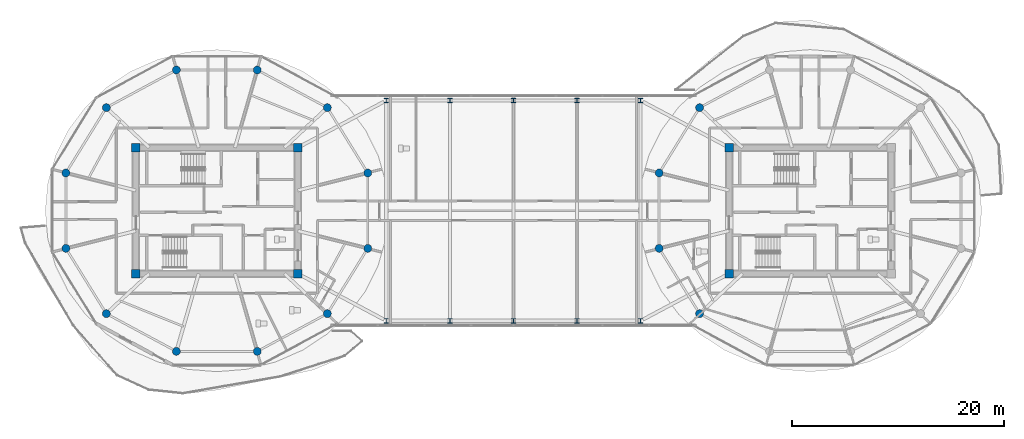
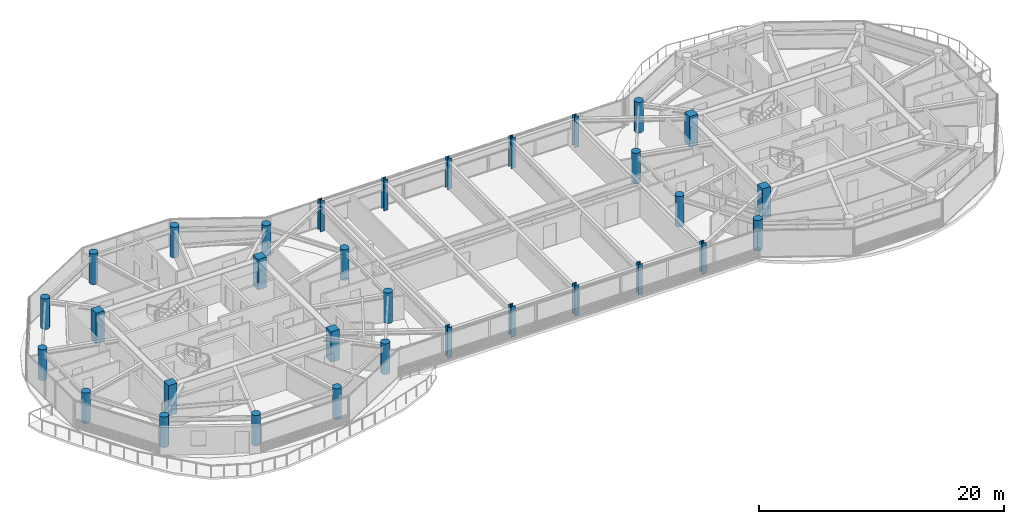
# One storey, part 1 of 24: 32 columns.
"""IFC4 building model written with IfcOpenShell, lengths in metres."""

from ifc_helpers import new_model, si_unit, direction, frame, origin, origin_2d, place, context, subcontext, project, spatial, rectangle, circle, i_section, extrude, source, transform, mapped, material, material_profile, profile_set, type_object, type_shapes, element, save


model = new_model("IFC4")

# Units and contexts
model_context = context("Model", 3, precision=1e-05, world=origin(), true_north=direction((0.0, 1.0)))
body_context = subcontext(model_context, "Body", "Model", "MODEL_VIEW")
ifc_project = project(units=[si_unit("LENGTHUNIT", "METRE"), si_unit("AREAUNIT", "SQUARE_METRE"), si_unit("VOLUMEUNIT", "CUBIC_METRE"), si_unit("PLANEANGLEUNIT", "RADIAN"), si_unit("MASSUNIT", "GRAM", prefix="KILO")], contexts=[model_context])

# Site, building, storey
site_placement = place(None, origin())
site = spatial("IfcSite", under=ifc_project, at=site_placement, CompositionType="ELEMENT")
building_placement = place(site_placement, origin())
building = spatial("IfcBuilding", under=site, at=building_placement, Name="Norrkilde Senior Care Towers", CompositionType="ELEMENT")
storey_placement = place(building_placement, frame((0.0, 0.0, 226.10009765625)))
storey = spatial("IfcBuildingStorey", under=building, at=storey_placement, Name="L70", CompositionType="ELEMENT", Elevation=226.10009765625)

# Columns
ifc_material_1 = material(Name="Concrete C60/75", Category="concrete")
ifc_material_profile_1 = material_profile(ifc_material_1, rectangle(XDim=0.800048828125, YDim=0.800048828125, at=origin_2d()), Name="RC COL 800x800")
ifc_profile_set_1 = profile_set([ifc_material_profile_1], Name="Concrete C60/75")
column_type_1 = type_object("IfcColumnType", Name="Column Core Corner Z3-Z4 800", PredefinedType="COLUMN", material=ifc_profile_set_1)
shared_shape_1 = source(origin(), body_context, "Body", "SweptSolid", [
    extrude(rectangle(XDim=0.800048828125, YDim=0.800048828125, at=origin_2d()), origin(), (0.0, 0.0, 1.0), 3.0498046875),
])
type_shapes(column_type_1, [shared_shape_1])
for number, where, z_axis, x_axis, name in (
    (1, (-35.64990234375, -5.949951171875, 0.0), (0.0, 0.0, 1.0), (1.0, 0.0, 0.0), "L70 Core W Corner Column 1"),
    (2, (-20.35009765625, -5.949951171875, 0.0), (0.0, 0.0, 1.0), (1.0, 0.0, 0.0), "L70 Core W Corner Column 2"),
    (3, (-20.35009765625, 5.949951171875, 0.0), (0.0, 0.0, 1.0), (1.0, 0.0, 0.0), "L70 Core W Corner Column 3"),
    (4, (-35.64990234375, 5.949951171875, 0.0), (0.0, 0.0, 1.0), (1.0, 0.0, 0.0), "L70 Core W Corner Column 4"),
    (5, (20.35009765625, -5.949951171875, 0.0), (0.0, 0.0, 1.0), (1.0, 0.0, 0.0), "L70 Core E Corner Column 1"),
    (6, (20.35009765625, 5.949951171875, 0.0), (0.0, 0.0, 1.0), (1.0, 0.0, 0.0), "L70 Core E Corner Column 4"),
):
    element("IfcColumn", number, at=place(storey_placement, frame(where, z_axis=z_axis, x_axis=x_axis)), inside=storey, type_object=column_type_1, Name=name, PredefinedType="COLUMN", context=body_context, shape_type="MappedRepresentation", body=[
        mapped(shared_shape_1, transform((0.0, 0.0, 0.0), x_axis=(1.0, 0.0, 0.0), y_axis=(0.0, 1.0, 0.0), z_axis=(0.0, 0.0, 1.0), scale=1.0)),
    ])
ifc_material_2 = material(Name="Concrete C50/60", Category="concrete")
ifc_material_profile_2 = material_profile(ifc_material_2, circle(Radius=0.375, at=origin_2d()), Name="RC CIR 750")
ifc_profile_set_2 = profile_set([ifc_material_profile_2], Name="Concrete C50/60")
column_type_2 = type_object("IfcColumnType", Name="Column Perimeter Z4 750", PredefinedType="COLUMN", material=ifc_profile_set_2)
shared_shape_2 = source(origin(), body_context, "Body", "SweptSolid", [
    extrude(circle(Radius=0.375, at=origin_2d()), origin(), (0.0, 0.0, 1.0), 3.0498046875),
])
type_shapes(column_type_2, [shared_shape_2])
for number, where, z_axis, x_axis, name in (
    (7, (-13.752685546875, 3.558837890625, 0.0), (0.0, 0.0, 1.0), (1.0, 0.0, 0.0), "L70 Drum W Perimeter Column 01"),
    (8, (-17.570068359375, 9.72265625, 0.0), (0.0, 0.0, 1.0), (1.0, 0.0, 0.0), "L70 Drum W Perimeter Column 02"),
    (9, (-24.182373046875, 13.281494140625, 0.0), (0.0, 0.0, 1.0), (1.0, 0.0, 0.0), "L70 Drum W Perimeter Column 03"),
    (10, (-31.817626953125, 13.281494140625, 0.0), (0.0, 0.0, 1.0), (1.0, 0.0, 0.0), "L70 Drum W Perimeter Column 04"),
    (11, (-38.429931640625, 9.72265625, 0.0), (0.0, 0.0, 1.0), (1.0, 0.0, 0.0), "L70 Drum W Perimeter Column 05"),
    (12, (-42.247314453125, 3.558837890625, 0.0), (0.0, 0.0, 1.0), (1.0, 0.0, 0.0), "L70 Drum W Perimeter Column 06"),
    (13, (-42.247314453125, -3.558837890625, 0.0), (0.0, 0.0, 1.0), (1.0, 0.0, 0.0), "L70 Drum W Perimeter Column 07"),
    (14, (-38.429931640625, -9.72265625, 0.0), (0.0, 0.0, 1.0), (1.0, 0.0, 0.0), "L70 Drum W Perimeter Column 08"),
    (15, (-31.817626953125, -13.281494140625, 0.0), (0.0, 0.0, 1.0), (1.0, 0.0, 0.0), "L70 Drum W Perimeter Column 09"),
    (16, (-24.182373046875, -13.281494140625, 0.0), (0.0, 0.0, 1.0), (1.0, 0.0, 0.0), "L70 Drum W Perimeter Column 10"),
    (17, (-17.570068359375, -9.72265625, 0.0), (0.0, 0.0, 1.0), (1.0, 0.0, 0.0), "L70 Drum W Perimeter Column 11"),
    (18, (-13.752685546875, -3.558837890625, 0.0), (0.0, 0.0, 1.0), (1.0, 0.0, 0.0), "L70 Drum W Perimeter Column 12"),
    (19, (17.570068359375, 9.72265625, 0.0), (0.0, 0.0, 1.0), (1.0, 0.0, 0.0), "L70 Drum E Perimeter Column 05"),
    (20, (13.752685546875, 3.558837890625, 0.0), (0.0, 0.0, 1.0), (1.0, 0.0, 0.0), "L70 Drum E Perimeter Column 06"),
    (21, (13.752685546875, -3.558837890625, 0.0), (0.0, 0.0, 1.0), (1.0, 0.0, 0.0), "L70 Drum E Perimeter Column 07"),
    (22, (17.570068359375, -9.72265625, 0.0), (0.0, 0.0, 1.0), (1.0, 0.0, 0.0), "L70 Drum E Perimeter Column 08"),
):
    element("IfcColumn", number, at=place(storey_placement, frame(where, z_axis=z_axis, x_axis=x_axis)), inside=storey, type_object=column_type_2, Name=name, PredefinedType="COLUMN", context=body_context, shape_type="MappedRepresentation", body=[
        mapped(shared_shape_2, transform((0.0, 0.0, 0.0), x_axis=(1.0, 0.0, 0.0), y_axis=(0.0, 1.0, 0.0), z_axis=(0.0, 0.0, 1.0), scale=1.0)),
    ])
ifc_material_3 = material(Name="Steel S355", Category="steel")
ifc_material_profile_3 = material_profile(ifc_material_3, i_section(OverallWidth=0.406982421875, OverallDepth=0.43505859375, WebThickness=0.02392578125, FlangeThickness=0.0390625, FilletRadius=0.014892578125, at=origin_2d()), Name="HD 400x421")
ifc_profile_set_3 = profile_set([ifc_material_profile_3], Name="Steel S355")
column_type_3 = type_object("IfcColumnType", Name="Column Bridge Frame HD400", PredefinedType="COLUMN", material=ifc_profile_set_3)
shared_shape_3 = source(origin(), body_context, "Body", "SweptSolid", [
    extrude(i_section(OverallWidth=0.406982421875, OverallDepth=0.43505859375, WebThickness=0.02392578125, FlangeThickness=0.0390625, FilletRadius=0.014892578125, at=origin_2d()), origin(), (0.0, 0.0, 1.0), 3.0498046875),
])
type_shapes(column_type_3, [shared_shape_3])
for number, where, z_axis, x_axis, name in (
    (23, (-12.0, -10.39990234375, 0.0), (0.0, 0.0, 1.0), (1.0, 0.0, 0.0), "L70 Sky-Gate Bridge Column -12.1"),
    (24, (-12.0, 10.39990234375, 0.0), (0.0, 0.0, 1.0), (1.0, 0.0, 0.0), "L70 Sky-Gate Bridge Column -12.2"),
    (25, (-6.0, -10.39990234375, 0.0), (0.0, 0.0, 1.0), (1.0, 0.0, 0.0), "L70 Sky-Gate Bridge Column -6.1"),
    (26, (-6.0, 10.39990234375, 0.0), (0.0, 0.0, 1.0), (1.0, 0.0, 0.0), "L70 Sky-Gate Bridge Column -6.2"),
    (27, (0.0, -10.39990234375, 0.0), (0.0, 0.0, 1.0), (1.0, 0.0, 0.0), "L70 Sky-Gate Bridge Column +0.1"),
    (28, (0.0, 10.39990234375, 0.0), (0.0, 0.0, 1.0), (1.0, 0.0, 0.0), "L70 Sky-Gate Bridge Column +0.2"),
    (29, (6.0, -10.39990234375, 0.0), (0.0, 0.0, 1.0), (1.0, 0.0, 0.0), "L70 Sky-Gate Bridge Column +6.1"),
    (30, (6.0, 10.39990234375, 0.0), (0.0, 0.0, 1.0), (1.0, 0.0, 0.0), "L70 Sky-Gate Bridge Column +6.2"),
    (31, (12.0, -10.39990234375, 0.0), (0.0, 0.0, 1.0), (1.0, 0.0, 0.0), "L70 Sky-Gate Bridge Column +12.1"),
    (32, (12.0, 10.39990234375, 0.0), (0.0, 0.0, 1.0), (1.0, 0.0, 0.0), "L70 Sky-Gate Bridge Column +12.2"),
):
    element("IfcColumn", number, at=place(storey_placement, frame(where, z_axis=z_axis, x_axis=x_axis)), inside=storey, type_object=column_type_3, Name=name, PredefinedType="COLUMN", context=body_context, shape_type="MappedRepresentation", body=[
        mapped(shared_shape_3, transform((0.0, 0.0, 0.0), x_axis=(1.0, 0.0, 0.0), y_axis=(0.0, 1.0, 0.0), z_axis=(0.0, 0.0, 1.0), scale=1.0)),
    ])

save(model, "model.ifc")
